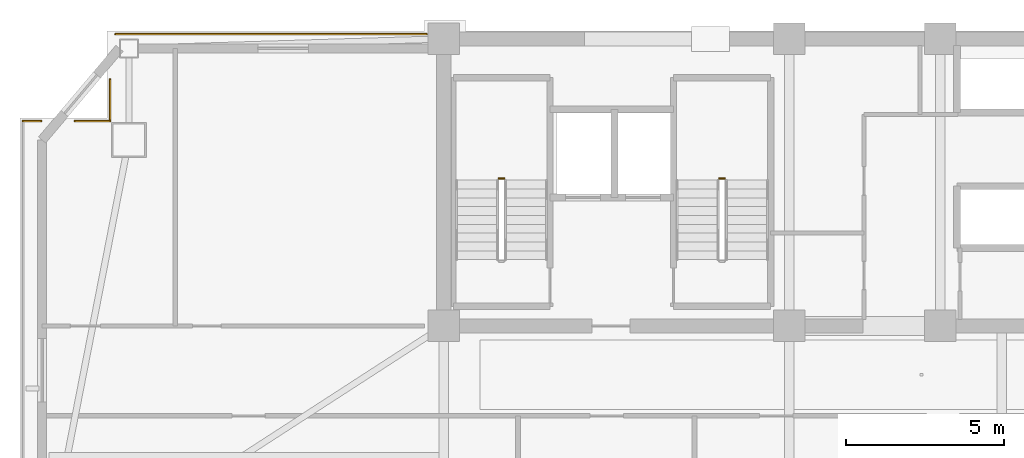
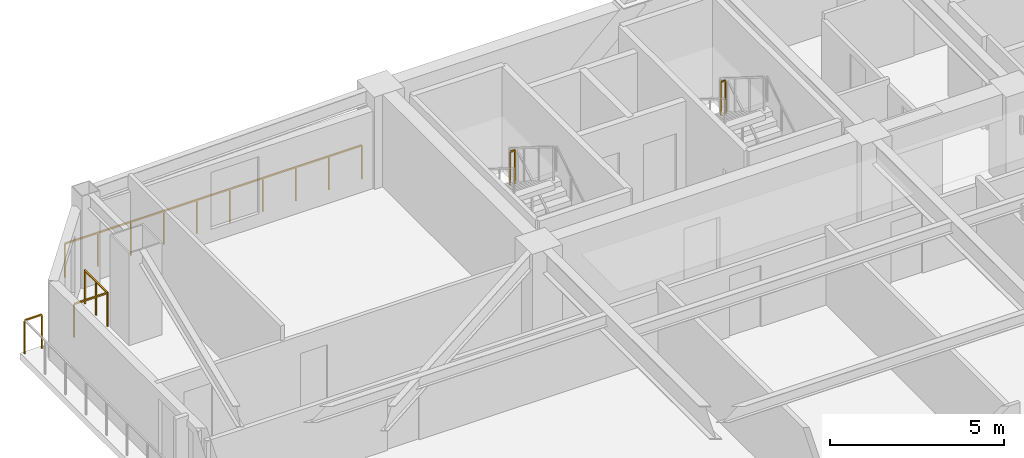
# One storey, part 16 of 17: 6 railings.
"""IFC4 building model written with IfcOpenShell, lengths in metres."""

from ifc_helpers import new_model, si_unit, direction, frame, origin, origin_2d, place, context, subcontext, project, spatial, rectangle, extrude, material, type_object, element, save


model = new_model("IFC4")

# Units and contexts
model_context = context("Model", 3, precision=1e-05, world=origin(), true_north=direction((0.0, 1.0)))
body_context = subcontext(model_context, "Body", "Model", "MODEL_VIEW")
ifc_project = project(units=[si_unit("LENGTHUNIT", "METRE"), si_unit("AREAUNIT", "SQUARE_METRE"), si_unit("VOLUMEUNIT", "CUBIC_METRE"), si_unit("PLANEANGLEUNIT", "RADIAN"), si_unit("MASSUNIT", "GRAM", prefix="KILO")], contexts=[model_context])

# Site, building, storey
site_placement = place(None, origin())
site = spatial("IfcSite", under=ifc_project, at=site_placement, CompositionType="ELEMENT")
building_placement = place(site_placement, origin())
building = spatial("IfcBuilding", under=site, at=building_placement, Name="Giltprow Tower", CompositionType="ELEMENT")
storey_placement = place(building_placement, frame((0.0, 0.0, 216.699951171875)))
storey = spatial("IfcBuildingStorey", under=building, at=storey_placement, Name="L55", CompositionType="ELEMENT", Elevation=216.699951171875)

# Railings
ifc_material = material(Name="Anodized bronze", Category="metal")
railing_type_1 = type_object("IfcRailingType", Name="RAIL-BALC-GUARD-1200", PredefinedType="BALUSTRADE", material=ifc_material)
railing_1_placement = place(storey_placement, frame((6.51806640625, 43.946044921875, 0.0)))
element("IfcRailing", 1, at=railing_1_placement, inside=storey, type_object=railing_type_1, Name="L55 Corner Apron Edge Balustrade 14", PredefinedType="BALUSTRADE", context=body_context, shape_type="SweptSolid", body=[
    extrude(rectangle(XDim=0.048095703125, YDim=0.048095703125, at=origin_2d()), frame((0.0, 0.0, 1.17578125), z_axis=(1.0, 0.0, 0.0), x_axis=(0.0, 1.0, 0.0)), (0.0, 0.0, 1.0), 0.56982421875),
    extrude(rectangle(XDim=0.0419921875, YDim=0.0419921875, at=origin_2d()), origin(), (0.0, 0.0, 1.0), 1.15185546875),
    extrude(rectangle(XDim=0.0419921875, YDim=0.0419921875, at=origin_2d()), frame((0.56982421875, 0.0, 0.0)), (0.0, 0.0, 1.0), 1.15185546875),
])
railing_2_placement = place(storey_placement, frame((8.162109375, 43.946044921875, 0.0)))
element("IfcRailing", 2, at=railing_2_placement, inside=storey, type_object=railing_type_1, Name="L55 Corner Apron Edge Balustrade 15", PredefinedType="BALUSTRADE", context=body_context, shape_type="SweptSolid", body=[
    extrude(rectangle(XDim=0.048095703125, YDim=0.048095703125, at=origin_2d()), frame((0.0, 0.0, 1.17578125), z_axis=(1.0, 0.0, 0.0), x_axis=(0.0, 1.0, 0.0)), (0.0, 0.0, 1.0), 1.10986328125),
    extrude(rectangle(XDim=0.0419921875, YDim=0.0419921875, at=origin_2d()), origin(), (0.0, 0.0, 1.0), 1.15185546875),
    extrude(rectangle(XDim=0.0419921875, YDim=0.0419921875, at=origin_2d()), frame((1.10986328125, 0.0, 0.0)), (0.0, 0.0, 1.0), 1.15185546875),
])
railing_3_placement = place(storey_placement, frame((9.27197265625, 43.946044921875, 0.0)))
element("IfcRailing", 3, at=railing_3_placement, inside=storey, type_object=railing_type_1, Name="L55 Corner Apron Edge Balustrade 16", PredefinedType="BALUSTRADE", context=body_context, shape_type="SweptSolid", body=[
    extrude(rectangle(XDim=0.048095703125, YDim=0.048095703125, at=origin_2d()), frame((0.0, 0.0, 1.17578125), z_axis=(0.0, 1.0, 0.0), x_axis=(-1.0, 0.0, 0.0)), (0.0, 0.0, 1.0), 1.31396484375),
    extrude(rectangle(XDim=0.0419921875, YDim=0.0419921875, at=origin_2d()), origin(), (0.0, 0.0, 1.0), 1.15185546875),
    extrude(rectangle(XDim=0.0419921875, YDim=0.0419921875, at=origin_2d()), frame((0.0, 0.656982421875, 0.0)), (0.0, 0.0, 1.0), 1.15185546875),
    extrude(rectangle(XDim=0.0419921875, YDim=0.0419921875, at=origin_2d()), frame((0.0, 1.31396484375, 0.0)), (0.0, 0.0, 1.0), 1.15185546875),
])
railing_4_placement = place(storey_placement, frame((9.44189453125, 46.699951171875, 0.0)))
element("IfcRailing", 4, at=railing_4_placement, inside=storey, type_object=railing_type_1, Name="L55 Corner Apron Edge Balustrade 17", PredefinedType="BALUSTRADE", context=body_context, shape_type="SweptSolid", body=[
    extrude(rectangle(XDim=0.048095703125, YDim=0.048095703125, at=origin_2d()), frame((0.0, 0.0, 1.17578125), z_axis=(1.0, 0.0, 0.0), x_axis=(0.0, 1.0, 0.0)), (0.0, 0.0, 1.0), 9.873046875),
    extrude(rectangle(XDim=0.0419921875, YDim=0.0419921875, at=origin_2d()), origin(), (0.0, 0.0, 1.0), 1.15185546875),
    extrude(rectangle(XDim=0.0419921875, YDim=0.0419921875, at=origin_2d()), frame((1.096923828125, 0.0, 0.0)), (0.0, 0.0, 1.0), 1.15185546875),
    extrude(rectangle(XDim=0.0419921875, YDim=0.0419921875, at=origin_2d()), frame((2.194091796875, 0.0, 0.0)), (0.0, 0.0, 1.0), 1.15185546875),
    extrude(rectangle(XDim=0.0419921875, YDim=0.0419921875, at=origin_2d()), frame((3.291015625, 0.0, 0.0)), (0.0, 0.0, 1.0), 1.15185546875),
    extrude(rectangle(XDim=0.0419921875, YDim=0.0419921875, at=origin_2d()), frame((4.387939453125, 0.0, 0.0)), (0.0, 0.0, 1.0), 1.15185546875),
    extrude(rectangle(XDim=0.0419921875, YDim=0.0419921875, at=origin_2d()), frame((5.485107421875, 0.0, 0.0)), (0.0, 0.0, 1.0), 1.15185546875),
    extrude(rectangle(XDim=0.0419921875, YDim=0.0419921875, at=origin_2d()), frame((6.58203125, 0.0, 0.0)), (0.0, 0.0, 1.0), 1.15185546875),
    extrude(rectangle(XDim=0.0419921875, YDim=0.0419921875, at=origin_2d()), frame((7.678955078125, 0.0, 0.0)), (0.0, 0.0, 1.0), 1.15185546875),
    extrude(rectangle(XDim=0.0419921875, YDim=0.0419921875, at=origin_2d()), frame((8.776123046875, 0.0, 0.0)), (0.0, 0.0, 1.0), 1.15185546875),
    extrude(rectangle(XDim=0.0419921875, YDim=0.0419921875, at=origin_2d()), frame((9.873046875, 0.0, 0.0)), (0.0, 0.0, 1.0), 1.15185546875),
])
railing_type_2 = type_object("IfcRailingType", Name="RAIL-STAIR-GUARD-1200", PredefinedType="GUARDRAIL", material=ifc_material)
for number, where, name in (
    (5, (21.760009765625, 42.1201171875, 1.75), "L55 ST-1 stair guard 2"),
    (6, (28.760009765625, 42.1201171875, 1.75), "L55 ST-2 stair guard 2"),
):
    element("IfcRailing", number, at=place(storey_placement, frame(where)), inside=storey, type_object=railing_type_2, Name=name, PredefinedType="GUARDRAIL", context=body_context, shape_type="SweptSolid", body=[
        extrude(rectangle(XDim=0.048095703125, YDim=0.048095703125, at=origin_2d()), frame((0.0, 0.0, 1.17578125), z_axis=(-1.0, 0.0, 0.0), x_axis=(0.0, -1.0, 0.0)), (0.0, 0.0, 1.0), 0.159912109375),
        extrude(rectangle(XDim=0.0419921875, YDim=0.0419921875, at=origin_2d()), origin(), (0.0, 0.0, 1.0), 1.15185546875),
        extrude(rectangle(XDim=0.0419921875, YDim=0.0419921875, at=origin_2d()), frame((-0.159912109375, 0.0, 0.0)), (0.0, 0.0, 1.0), 1.15185546875),
    ])

save(model, "model.ifc")
